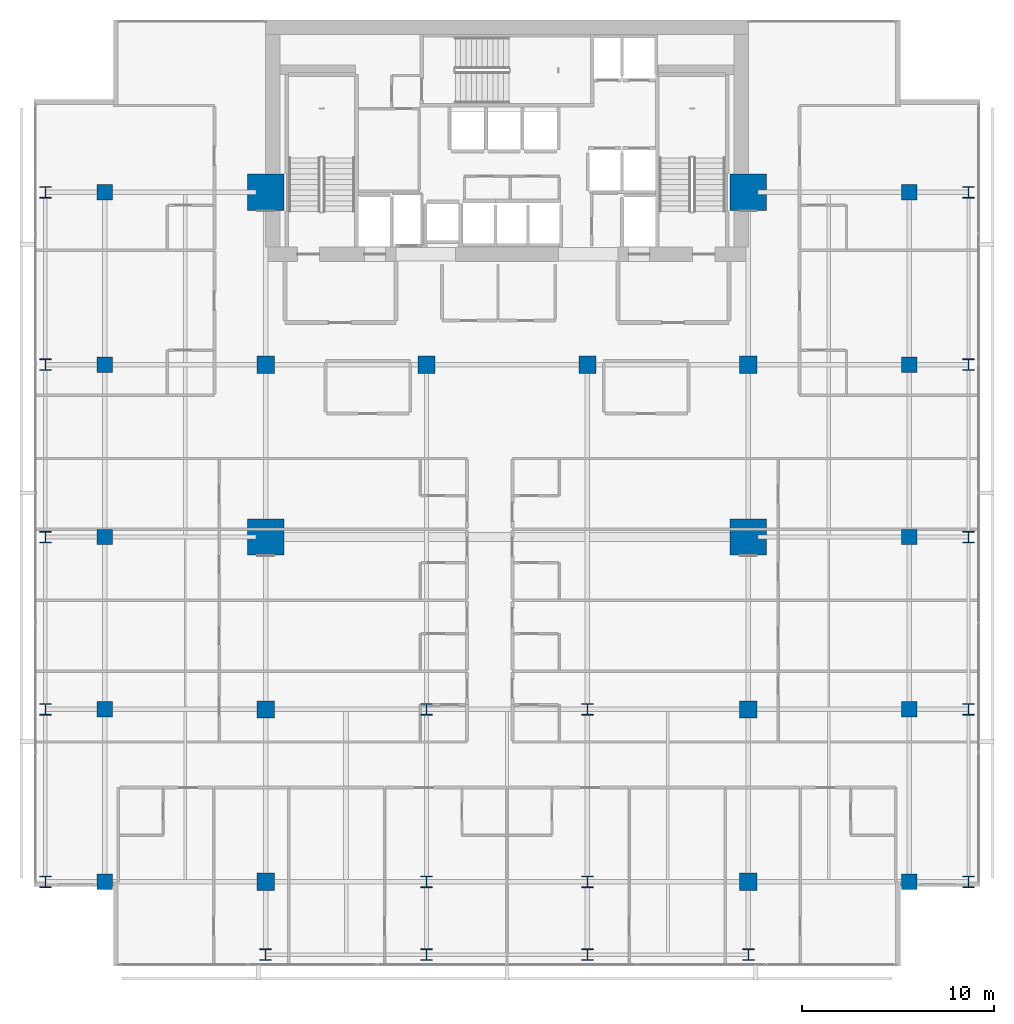
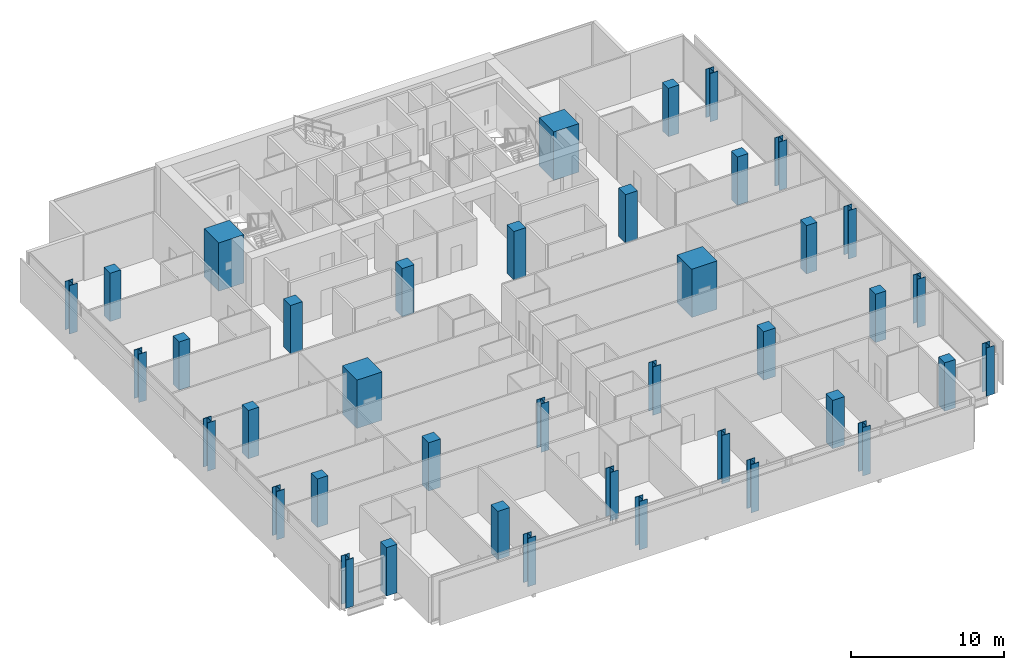
# One storey, part 1 of 34: 40 columns.
"""IFC4 building model written with IfcOpenShell, lengths in metres."""

from ifc_helpers import new_model, si_unit, direction, frame, origin, origin_2d, place, context, subcontext, project, spatial, rectangle, i_section, extrude, material, material_profile, profile_set, type_object, element, save


model = new_model("IFC4")

# Units and contexts
model_context = context("Model", 3, precision=1e-05, world=origin(), true_north=direction((0.0, 1.0)))
body_context = subcontext(model_context, "Body", "Model", "MODEL_VIEW")
ifc_project = project(units=[si_unit("LENGTHUNIT", "METRE"), si_unit("AREAUNIT", "SQUARE_METRE"), si_unit("VOLUMEUNIT", "CUBIC_METRE"), si_unit("PLANEANGLEUNIT", "RADIAN"), si_unit("MASSUNIT", "GRAM", prefix="KILO")], contexts=[model_context])

# Site, building, storey
site_placement = place(None, origin())
site = spatial("IfcSite", under=ifc_project, at=site_placement, CompositionType="ELEMENT")
building_placement = place(site_placement, origin())
building = spatial("IfcBuilding", under=site, at=building_placement, Name="Maruvema Waterfront Hotel and Observation Tower", CompositionType="ELEMENT")
storey_placement = place(building_placement, frame((0.0, 0.0, 192.85009765625)))
storey = spatial("IfcBuildingStorey", under=building, at=storey_placement, Name="L47", CompositionType="ELEMENT", Elevation=192.85009765625)

# Columns
ifc_material_1 = material(Name="Concrete C80/95", Category="concrete")
ifc_material_profile_1 = material_profile(ifc_material_1, rectangle(XDim=1.89990234375, YDim=1.89990234375, at=origin_2d()), Name="MC1900x1900")
ifc_profile_set_1 = profile_set([ifc_material_profile_1], Name="Concrete C80/95")
column_type_1 = type_object("IfcColumnType", Name="Continuous Mega-Column MC1900x1900", PredefinedType="COLUMN", material=ifc_profile_set_1)
for number, where, z_axis, x_axis, name in (
    (1, (25.199951171875, 27.0, 0.0), (0.0, 0.0, 1.0), (1.0, 0.0, 0.0), "L47 Continuous Mega-Column MC-01"),
    (2, (50.39990234375, 27.0, 0.0), (0.0, 0.0, 1.0), (1.0, 0.0, 0.0), "L47 Continuous Mega-Column MC-02"),
    (3, (25.199951171875, 45.0, 0.0), (0.0, 0.0, 1.0), (1.0, 0.0, 0.0), "L47 Continuous Mega-Column MC-03"),
    (4, (50.39990234375, 45.0, 0.0), (0.0, 0.0, 1.0), (1.0, 0.0, 0.0), "L47 Continuous Mega-Column MC-04"),
):
    element("IfcColumn", number, at=place(storey_placement, frame(where, z_axis=z_axis, x_axis=x_axis)), inside=storey, type_object=column_type_1, Name=name, PredefinedType="COLUMN", context=body_context, shape_type="SweptSolid", body=[
        extrude(rectangle(XDim=1.89990234375, YDim=1.89990234375, at=origin_2d()), origin(), (0.0, 0.0, 1.0), 3.849853515625),
    ])
ifc_material_2 = material(Name="Concrete C60/75", Category="concrete")
ifc_material_profile_2 = material_profile(ifc_material_2, rectangle(XDim=0.800048828125, YDim=0.800048828125, at=origin_2d()), Name="RC800x800")
ifc_profile_set_2 = profile_set([ifc_material_profile_2], Name="Concrete C60/75")
column_type_2 = type_object("IfcColumnType", Name="Reinforced Concrete Column RC800x800", PredefinedType="COLUMN", material=ifc_profile_set_2)
for number, where, z_axis, x_axis, name in (
    (5, (16.800048828125, 9.0, 0.0), (0.0, 0.0, 1.0), (1.0, 0.0, 0.0), "L47 Column C-3Y9"),
    (6, (58.800048828125, 9.0, 0.0), (0.0, 0.0, 1.0), (1.0, 0.0, 0.0), "L47 Column C-8Y9"),
    (7, (16.800048828125, 18.0, 0.0), (0.0, 0.0, 1.0), (1.0, 0.0, 0.0), "L47 Column C-3Y18"),
    (8, (58.800048828125, 18.0, 0.0), (0.0, 0.0, 1.0), (1.0, 0.0, 0.0), "L47 Column C-8Y18"),
    (9, (16.800048828125, 27.0, 0.0), (0.0, 0.0, 1.0), (1.0, 0.0, 0.0), "L47 Column C-3Y27"),
    (10, (58.800048828125, 27.0, 0.0), (0.0, 0.0, 1.0), (1.0, 0.0, 0.0), "L47 Column C-8Y27"),
    (11, (16.800048828125, 36.0, 0.0), (0.0, 0.0, 1.0), (1.0, 0.0, 0.0), "L47 Column C-3Y36"),
    (12, (58.800048828125, 36.0, 0.0), (0.0, 0.0, 1.0), (1.0, 0.0, 0.0), "L47 Column C-8Y36"),
    (13, (16.800048828125, 45.0, 0.0), (0.0, 0.0, 1.0), (1.0, 0.0, 0.0), "L47 Column C-3Y45"),
    (14, (58.800048828125, 45.0, 0.0), (0.0, 0.0, 1.0), (1.0, 0.0, 0.0), "L47 Column C-8Y45"),
):
    element("IfcColumn", number, at=place(storey_placement, frame(where, z_axis=z_axis, x_axis=x_axis)), inside=storey, type_object=column_type_2, Name=name, PredefinedType="COLUMN", context=body_context, shape_type="SweptSolid", body=[
        extrude(rectangle(XDim=0.800048828125, YDim=0.800048828125, at=origin_2d()), origin(), (0.0, 0.0, 1.0), 3.849853515625),
    ])
ifc_material_3 = material(Name="Concrete C60/75", Category="concrete")
ifc_material_profile_3 = material_profile(ifc_material_3, rectangle(XDim=0.89990234375, YDim=0.89990234375, at=origin_2d()), Name="RC900x900")
ifc_profile_set_3 = profile_set([ifc_material_profile_3], Name="Concrete C60/75")
column_type_3 = type_object("IfcColumnType", Name="Reinforced Concrete Column RC900x900", PredefinedType="COLUMN", material=ifc_profile_set_3)
for number, where, z_axis, x_axis, name in (
    (15, (25.199951171875, 36.0, 0.0), (0.0, 0.0, 1.0), (1.0, 0.0, 0.0), "L47 Column C-4E"),
    (16, (33.60009765625, 36.0, 0.0), (0.0, 0.0, 1.0), (1.0, 0.0, 0.0), "L47 Column C-5E"),
    (17, (42.0, 36.0, 0.0), (0.0, 0.0, 1.0), (1.0, 0.0, 0.0), "L47 Column C-6E"),
    (18, (50.39990234375, 36.0, 0.0), (0.0, 0.0, 1.0), (1.0, 0.0, 0.0), "L47 Column C-7E"),
    (19, (25.199951171875, 18.0, 0.0), (0.0, 0.0, 1.0), (1.0, 0.0, 0.0), "L47 Column C-4C"),
    (20, (50.39990234375, 18.0, 0.0), (0.0, 0.0, 1.0), (1.0, 0.0, 0.0), "L47 Column C-7C"),
    (21, (25.199951171875, 9.0, 0.0), (0.0, 0.0, 1.0), (1.0, 0.0, 0.0), "L47 Column C-4B"),
    (22, (50.39990234375, 9.0, 0.0), (0.0, 0.0, 1.0), (1.0, 0.0, 0.0), "L47 Column C-7B"),
):
    element("IfcColumn", number, at=place(storey_placement, frame(where, z_axis=z_axis, x_axis=x_axis)), inside=storey, type_object=column_type_3, Name=name, PredefinedType="COLUMN", context=body_context, shape_type="SweptSolid", body=[
        extrude(rectangle(XDim=0.89990234375, YDim=0.89990234375, at=origin_2d()), origin(), (0.0, 0.0, 1.0), 3.849853515625),
    ])
ifc_material_4 = material(Name="Steel ABNT NBR 7007 AR 415 (ASTM A572 Grade 50)", Category="steel")
ifc_material_profile_4 = material_profile(ifc_material_4, i_section(OverallWidth=0.60009765625, OverallDepth=0.60009765625, WebThickness=0.02490234375, FlangeThickness=0.0380859375, at=origin_2d()), Name="CVS600x317")
ifc_profile_set_4 = profile_set([ifc_material_profile_4], Name="Steel ABNT NBR 7007 AR 415 (ASTM A572 Grade 50)")
column_type_4 = type_object("IfcColumnType", Name="Structural Steel Column CVS600x317", PredefinedType="COLUMN", material=ifc_profile_set_4)
for number, where, z_axis, x_axis, name in (
    (23, (33.60009765625, 9.0, 0.0), (0.0, 0.0, 1.0), (1.0, 0.0, 0.0), "L47 Column C-5B"),
    (24, (42.0, 9.0, 0.0), (0.0, 0.0, 1.0), (1.0, 0.0, 0.0), "L47 Column C-6B"),
    (25, (33.60009765625, 18.0, 0.0), (0.0, 0.0, 1.0), (1.0, 0.0, 0.0), "L47 Column C-5C"),
    (26, (42.0, 18.0, 0.0), (0.0, 0.0, 1.0), (1.0, 0.0, 0.0), "L47 Column C-6C"),
    (27, (13.699951171875, 9.0, 0.0), (0.0, 0.0, 1.0), (1.0, 0.0, 0.0), "L47 Column C-Z2W9"),
    (28, (61.89990234375, 9.0, 0.0), (0.0, 0.0, 1.0), (1.0, 0.0, 0.0), "L47 Column C-Z2E9"),
    (29, (13.699951171875, 18.0, 0.0), (0.0, 0.0, 1.0), (1.0, 0.0, 0.0), "L47 Column C-Z2W18"),
    (30, (61.89990234375, 18.0, 0.0), (0.0, 0.0, 1.0), (1.0, 0.0, 0.0), "L47 Column C-Z2E18"),
    (31, (13.699951171875, 27.0, 0.0), (0.0, 0.0, 1.0), (1.0, 0.0, 0.0), "L47 Column C-Z2W27"),
    (32, (61.89990234375, 27.0, 0.0), (0.0, 0.0, 1.0), (1.0, 0.0, 0.0), "L47 Column C-Z2E27"),
    (33, (13.699951171875, 36.0, 0.0), (0.0, 0.0, 1.0), (1.0, 0.0, 0.0), "L47 Column C-Z2W36"),
    (34, (61.89990234375, 36.0, 0.0), (0.0, 0.0, 1.0), (1.0, 0.0, 0.0), "L47 Column C-Z2E36"),
    (35, (13.699951171875, 45.0, 0.0), (0.0, 0.0, 1.0), (1.0, 0.0, 0.0), "L47 Column C-Z2W45"),
    (36, (61.89990234375, 45.0, 0.0), (0.0, 0.0, 1.0), (1.0, 0.0, 0.0), "L47 Column C-Z2E45"),
    (37, (25.199951171875, 5.199951171875, 0.0), (0.0, 0.0, 1.0), (1.0, 0.0, 0.0), "L47 Column C-Z2S4"),
    (38, (33.60009765625, 5.199951171875, 0.0), (0.0, 0.0, 1.0), (1.0, 0.0, 0.0), "L47 Column C-Z2S5"),
    (39, (42.0, 5.199951171875, 0.0), (0.0, 0.0, 1.0), (1.0, 0.0, 0.0), "L47 Column C-Z2S6"),
    (40, (50.39990234375, 5.199951171875, 0.0), (0.0, 0.0, 1.0), (1.0, 0.0, 0.0), "L47 Column C-Z2S7"),
):
    element("IfcColumn", number, at=place(storey_placement, frame(where, z_axis=z_axis, x_axis=x_axis)), inside=storey, type_object=column_type_4, Name=name, PredefinedType="COLUMN", context=body_context, shape_type="SweptSolid", body=[
        extrude(i_section(OverallWidth=0.60009765625, OverallDepth=0.60009765625, WebThickness=0.02490234375, FlangeThickness=0.0380859375, at=origin_2d()), origin(), (0.0, 0.0, 1.0), 3.849853515625),
    ])

save(model, "model.ifc")
